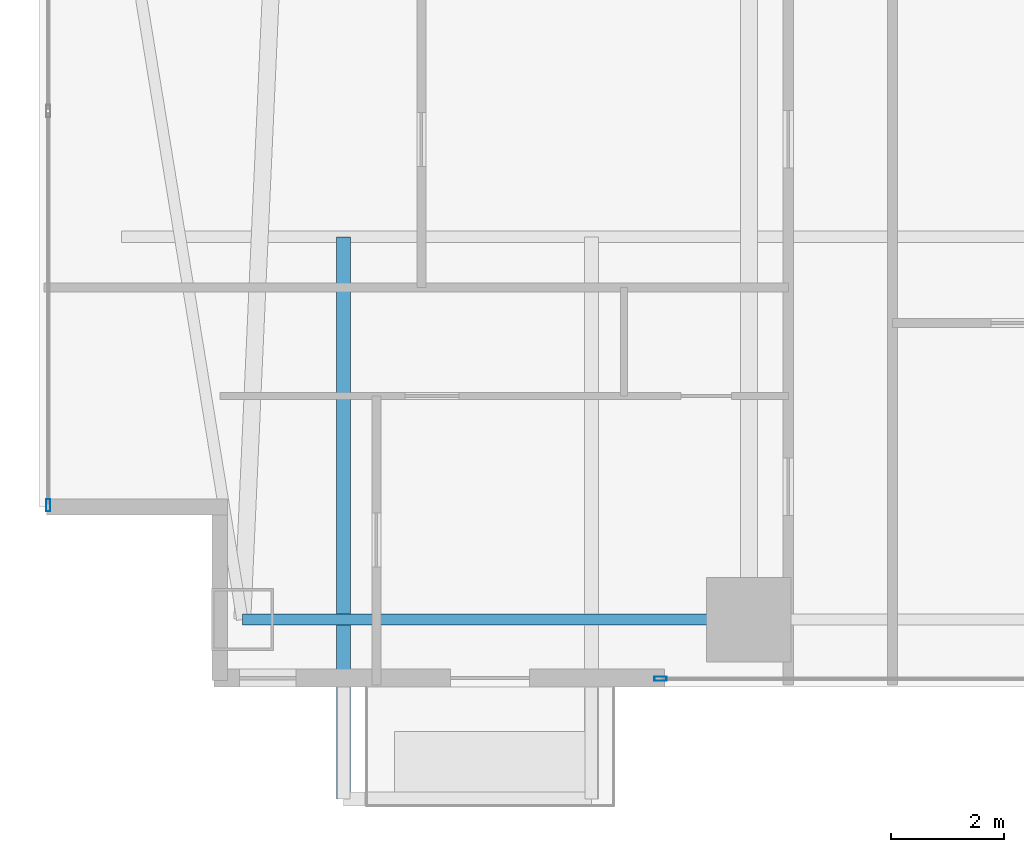
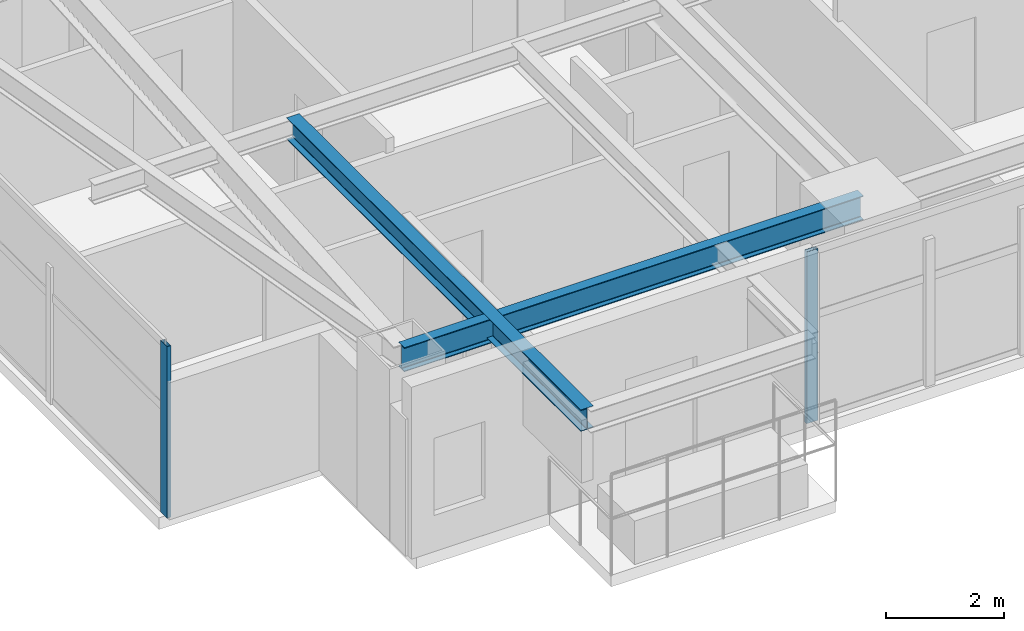
# One storey, part 2 of 29: 2 beams, 2 members, 2 elements without a shape of their own.
"""IFC4 building model written with IfcOpenShell, lengths in metres."""

from ifc_helpers import new_model, si_unit, direction, frame, origin, origin_2d, place, context, subcontext, project, spatial, hollow_rectangle, i_section, extrude, material, layer, layer_set, material_profile, profile_set, type_object, element, aggregate, save


model = new_model("IFC4")

# Units and contexts
model_context = context("Model", 3, precision=1e-05, world=origin(), true_north=direction((0.0, 1.0)))
body_context = subcontext(model_context, "Body", "Model", "MODEL_VIEW")
ifc_project = project(units=[si_unit("LENGTHUNIT", "METRE"), si_unit("AREAUNIT", "SQUARE_METRE"), si_unit("VOLUMEUNIT", "CUBIC_METRE"), si_unit("PLANEANGLEUNIT", "RADIAN"), si_unit("MASSUNIT", "GRAM", prefix="KILO")], contexts=[model_context])

# Site, building, storey
site_placement = place(None, origin())
site = spatial("IfcSite", under=ifc_project, at=site_placement, CompositionType="ELEMENT")
building_placement = place(site_placement, origin())
building = spatial("IfcBuilding", under=site, at=building_placement, Name="Calvorn Quay Hotel", CompositionType="ELEMENT")
storey_placement = place(building_placement, frame((0.0, 0.0, 38.39990234375)))
storey = spatial("IfcBuildingStorey", under=building, at=storey_placement, Name="L08", CompositionType="ELEMENT", Elevation=38.39990234375)

# Beams
ifc_material_1 = material(Name="Steel Q355B", Category="steel")
ifc_material_profile_1 = material_profile(ifc_material_1, i_section(OverallWidth=0.25, OverallDepth=0.449951171875, WebThickness=0.011962890625, FlangeThickness=0.01611328125, FilletRadius=0.01611328125, at=origin_2d()), Name="HN450x250x12x16")
ifc_profile_set_1 = profile_set([ifc_material_profile_1], Name="Steel Q355B")
beam_type_1 = type_object("IfcBeamType", Name="BM-CANT-BALC", PredefinedType="BEAM", material=ifc_profile_set_1)
beam_1_placement = place(storey_placement, frame((5.39990234375, 10.39990234375, 3.315185546875), z_axis=(0.0, -1.0, 0.0), x_axis=(1.0, 0.0, 0.0)))
element("IfcBeam", 1, at=beam_1_placement, inside=storey, type_object=beam_type_1, Name="Cantilever Balcony Beam BCB-L09-2A", PredefinedType="BEAM", context=body_context, shape_type="SweptSolid", body=[
    extrude(i_section(OverallWidth=0.25, OverallDepth=0.449951171875, WebThickness=0.011962890625, FlangeThickness=0.01611328125, FilletRadius=0.01611328125, at=origin_2d()), origin(), (0.0, 0.0, 1.0), 9.989990234375),
])
ifc_material_2 = material(Name="Steel Q355B", Category="steel")
ifc_material_profile_2 = material_profile(ifc_material_2, i_section(OverallWidth=0.199951171875, OverallDepth=0.5, WebThickness=0.010009765625, FlangeThickness=0.01611328125, FilletRadius=0.01611328125, at=origin_2d()), Name="HN500x200x10x16")
ifc_profile_set_2 = profile_set([ifc_material_profile_2], Name="Steel Q355B")
beam_type_2 = type_object("IfcBeamType", Name="BM-SPANDREL-Z1", PredefinedType="SPANDREL", material=ifc_profile_set_2)
beam_2_placement = place(storey_placement, frame((3.60009765625, 3.60009765625, 3.2900390625), z_axis=(1.0, 0.0, 0.0), x_axis=(0.0, 1.0, 0.0)))
element("IfcBeam", 2, at=beam_2_placement, inside=storey, type_object=beam_type_2, Name="Beam BSP-L08-S1", PredefinedType="SPANDREL", context=body_context, shape_type="SweptSolid", body=[
    extrude(i_section(OverallWidth=0.199951171875, OverallDepth=0.5, WebThickness=0.010009765625, FlangeThickness=0.01611328125, FilletRadius=0.01611328125, at=origin_2d()), origin(), (0.0, 0.0, 1.0), 9.0),
])

# Curtain wall, member
ifc_material_3 = material(Name="Pale Anodised Aluminium and Low-E Glass", Category="aluminium")
ifc_layer = layer(ifc_material_3, 0.219970703125)
ifc_layer_set = layer_set([ifc_layer], Name="CW-SYS-Z1")
curtain_wall_type = type_object("IfcCurtainWallType", Name="CW-SYS-Z1", PredefinedType="NOTDEFINED", material=ifc_layer_set)
curtain_wall_1_placement = place(storey_placement, origin())
curtain_wall_1 = element("IfcCurtainWall", 3, at=curtain_wall_1_placement, inside=storey, type_object=curtain_wall_type, Name="Tower West Curtain Wall (L08)", PredefinedType="NOTDEFINED")
ifc_material_4 = material(Name="Pale Anodised Aluminium 6063-T6", Category="aluminium")
ifc_material_profile_3 = material_profile(ifc_material_4, hollow_rectangle(XDim=0.074951171875, YDim=0.219970703125, WallThickness=0.00439453125, at=origin_2d()), Name="ALU-M220x75x4.5")
ifc_profile_set_3 = profile_set([ifc_material_profile_3], Name="Pale Anodised Aluminium 6063-T6")
member_type = type_object("IfcMemberType", Name="CW-SYS-Z1-MUL", PredefinedType="MULLION", material=ifc_profile_set_3)
member_1_placement = place(storey_placement, frame((0.14990234375, 5.6298828125, 0.0), z_axis=(0.0, 0.0, 1.0), x_axis=(-1.0, 0.0, 0.0)))
member_1 = element("IfcMember", 4, at=member_1_placement, type_object=member_type, Name="CW-L08-W mullion 1", PredefinedType="MULLION", context=body_context, shape_type="SweptSolid", body=[
    extrude(hollow_rectangle(XDim=0.074951171875, YDim=0.219970703125, WallThickness=0.00439453125, at=origin_2d()), origin(), (0.0, 0.0, 1.0), 3.56005859375),
])
aggregate(curtain_wall_1, [member_1])

curtain_wall_2_placement = place(storey_placement, origin())
curtain_wall_2 = element("IfcCurtainWall", 5, at=curtain_wall_2_placement, inside=storey, type_object=curtain_wall_type, Name="Tower South Waterfront Curtain Wall (L08)", PredefinedType="NOTDEFINED")
member_2_placement = place(storey_placement, frame((11.030029296875, 2.550048828125, 0.0), z_axis=(0.0, 0.0, 1.0), x_axis=(0.0, 1.0, 0.0)))
member_2 = element("IfcMember", 6, at=member_2_placement, type_object=member_type, Name="CW-L08-S mullion 1", PredefinedType="MULLION", context=body_context, shape_type="SweptSolid", body=[
    extrude(hollow_rectangle(XDim=0.074951171875, YDim=0.219970703125, WallThickness=0.00439453125, at=origin_2d()), origin(), (0.0, 0.0, 1.0), 3.56005859375),
])
aggregate(curtain_wall_2, [member_2])

save(model, "model.ifc")
